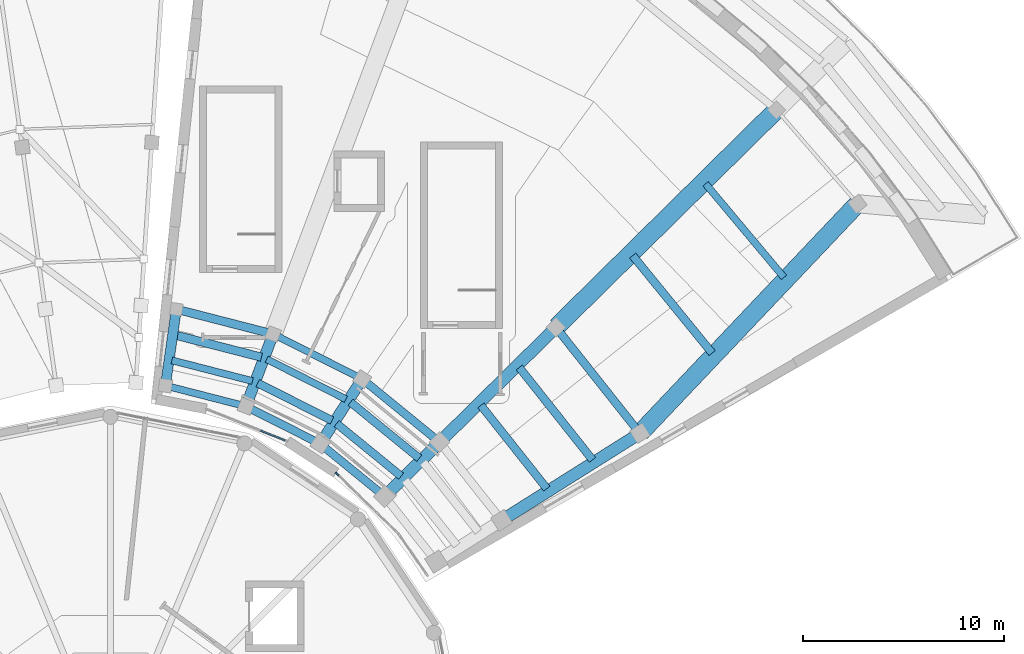
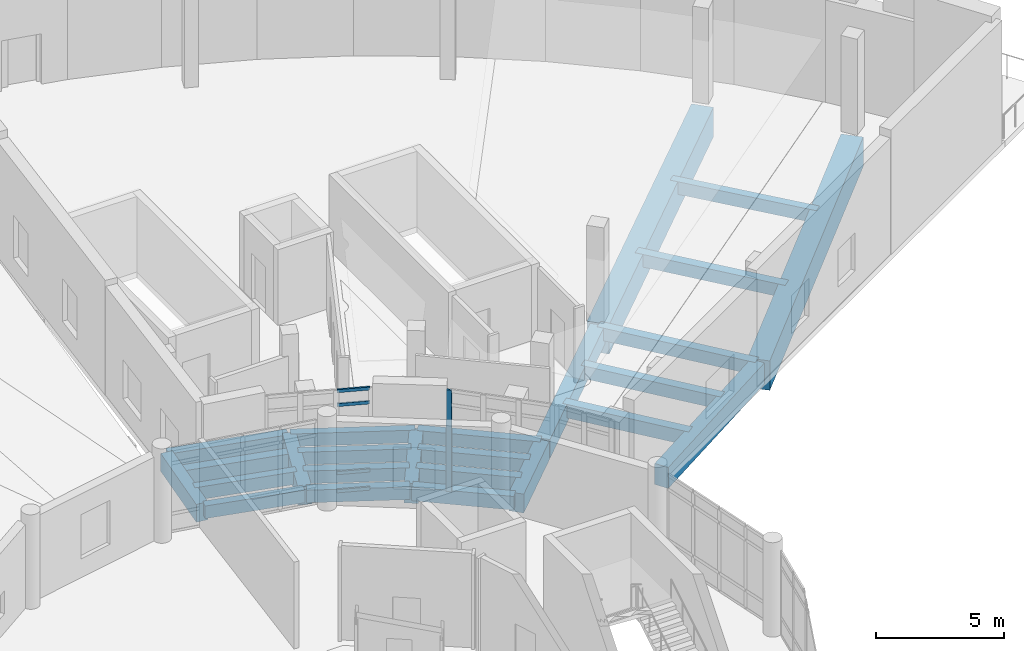
# One storey, part 14 of 27: 25 beams, 5 members, 2 elements without a shape of their own.
"""IFC4 building model written with IfcOpenShell, lengths in metres."""

from ifc_helpers import new_model, si_unit, direction, frame, origin, origin_2d, place, context, subcontext, project, spatial, rectangle, extrude, material, material_profile, profile_set, type_object, element, aggregate, save


model = new_model("IFC4")

# Units and contexts
model_context = context("Model", 3, precision=1e-05, world=origin(), true_north=direction((0.0, 1.0)))
body_context = subcontext(model_context, "Body", "Model", "MODEL_VIEW")
ifc_project = project(units=[si_unit("LENGTHUNIT", "METRE"), si_unit("AREAUNIT", "SQUARE_METRE"), si_unit("VOLUMEUNIT", "CUBIC_METRE"), si_unit("PLANEANGLEUNIT", "RADIAN"), si_unit("MASSUNIT", "GRAM", prefix="KILO")], contexts=[model_context])

# Site, building, storey
site_placement = place(None, origin())
site = spatial("IfcSite", under=ifc_project, at=site_placement, CompositionType="ELEMENT")
building_placement = place(site_placement, origin())
building = spatial("IfcBuilding", under=site, at=building_placement, Name="Soyqirgoq Riverine Aquarium", CompositionType="ELEMENT")
storey_placement = place(building_placement, frame((0.0, 0.0, 19.800048828125)))
storey = spatial("IfcBuildingStorey", under=building, at=storey_placement, Name="L05", CompositionType="ELEMENT", Elevation=19.800048828125)

# Beams
ifc_material_1 = material(Name="Concrete C40/50", Category="concrete")
ifc_material_profile_1 = material_profile(ifc_material_1, rectangle(XDim=0.35009765625, YDim=0.60009765625, at=origin_2d()), Name="RC 350x600")
ifc_profile_set_1 = profile_set([ifc_material_profile_1], Name="Concrete C40/50")
beam_type_1 = type_object("IfcBeamType", Name="Beam_RC_350x600", PredefinedType="JOIST", material=ifc_profile_set_1)
beam_1_placement = place(storey_placement, frame((62.70703125, 74.984619140625, -0.580078125), z_axis=(-0.968579337856, 0.248704777354, 0.0), x_axis=(-0.248704777354, -0.968579337856, 0.0)))
element("IfcBeam", 1, at=beam_1_placement, inside=storey, type_object=beam_type_1, Name="V5 L05 Wedge Chord Beam 0972", PredefinedType="JOIST", context=body_context, shape_type="SweptSolid", body=[
    extrude(rectangle(XDim=0.35009765625, YDim=0.60009765625, at=origin_2d()), origin(), (0.0, 0.0, 1.0), 4.04736328125),
])
beam_2_placement = place(storey_placement, frame((67.737060546875, 75.3291015625, -0.580078125), z_axis=(-0.89260992487, 0.450829814923, 0.0), x_axis=(-0.450829814923, -0.89260992487, 0.0)))
element("IfcBeam", 2, at=beam_2_placement, inside=storey, type_object=beam_type_1, Name="V5 L05 Secondary Floor Joist 0978", PredefinedType="JOIST", context=body_context, shape_type="SweptSolid", body=[
    extrude(rectangle(XDim=0.35009765625, YDim=0.60009765625, at=origin_2d()), origin(), (0.0, 0.0, 1.0), 4.42431640625),
])
beam_3_placement = place(storey_placement, frame((63.080322265625, 76.232421875, -0.580078125), z_axis=(-0.96858651554, 0.24867682223, 0.0), x_axis=(-0.24867682223, -0.96858651554, 0.0)))
element("IfcBeam", 3, at=beam_3_placement, inside=storey, type_object=beam_type_1, Name="V5 L05 Secondary Floor Joist 0979", PredefinedType="JOIST", context=body_context, shape_type="SweptSolid", body=[
    extrude(rectangle(XDim=0.35009765625, YDim=0.60009765625, at=origin_2d()), origin(), (0.0, 0.0, 1.0), 4.14990234375),
])
beam_4_placement = place(storey_placement, frame((68.50927734375, 76.35400390625, -0.580078125), z_axis=(-0.892588175526, 0.450872874446, 0.0), x_axis=(-0.450872874446, -0.892588175526, 0.0)))
element("IfcBeam", 4, at=beam_4_placement, inside=storey, type_object=beam_type_1, Name="V5 L05 Wedge Chord Beam 0983", PredefinedType="JOIST", context=body_context, shape_type="SweptSolid", body=[
    extrude(rectangle(XDim=0.35009765625, YDim=0.60009765625, at=origin_2d()), origin(), (0.0, 0.0, 1.0), 4.878662109375),
])
beam_5_placement = place(storey_placement, frame((89.584228515625, 81.40380859375, -0.580078125), z_axis=(-0.642269554069, 0.766478845055, 0.0), x_axis=(-0.766478845055, -0.642269554069, 0.0)))
element("IfcBeam", 5, at=beam_5_placement, inside=storey, type_object=beam_type_1, Name="V5 L05 Secondary Floor Joist 0989", PredefinedType="JOIST", context=body_context, shape_type="SweptSolid", body=[
    extrude(rectangle(XDim=0.35009765625, YDim=0.60009765625, at=origin_2d()), origin(), (0.0, 0.0, 1.0), 6.08544921875),
])
ifc_material_2 = material(Name="Concrete C40/50", Category="concrete")
ifc_material_profile_2 = material_profile(ifc_material_2, rectangle(XDim=0.39990234375, YDim=0.60009765625, at=origin_2d()), Name="RC 400x600")
ifc_profile_set_2 = profile_set([ifc_material_profile_2], Name="Concrete C40/50")
beam_type_2 = type_object("IfcBeamType", Name="Beam_RC_400x600", PredefinedType="JOIST", material=ifc_profile_set_2)
beam_6_placement = place(storey_placement, frame((66.41259765625, 73.125, -0.580078125), z_axis=(-0.892598018236, 0.45085338841, 0.0), x_axis=(-0.45085338841, -0.892598018236, 0.0)))
element("IfcBeam", 6, at=beam_6_placement, inside=storey, type_object=beam_type_2, Name="V5 L05 Wedge Chord Beam 0971", PredefinedType="JOIST", context=body_context, shape_type="SweptSolid", body=[
    extrude(rectangle(XDim=0.39990234375, YDim=0.60009765625, at=origin_2d()), origin(), (0.0, 0.0, 1.0), 4.047119140625),
])
beam_7_placement = place(storey_placement, frame((71.399169921875, 72.381103515625, -0.580078125), z_axis=(-0.774944675392, 0.632029073763, 0.0), x_axis=(-0.632029073763, -0.774944675392, 0.0)))
element("IfcBeam", 7, at=beam_7_placement, inside=storey, type_object=beam_type_2, Name="V5 L05 Secondary Floor Joist 0976", PredefinedType="JOIST", context=body_context, shape_type="SweptSolid", body=[
    extrude(rectangle(XDim=0.39990234375, YDim=0.60009765625, at=origin_2d()), origin(), (0.0, 0.0, 1.0), 4.424560546875),
])
beam_8_placement = place(storey_placement, frame((67.044921875, 74.263427734375, -0.580078125), z_axis=(-0.892584129687, 0.45088088386, 0.0), x_axis=(-0.45088088386, -0.892584129687, 0.0)))
element("IfcBeam", 8, at=beam_8_placement, inside=storey, type_object=beam_type_2, Name="V5 L05 Secondary Floor Joist 0977", PredefinedType="JOIST", context=body_context, shape_type="SweptSolid", body=[
    extrude(rectangle(XDim=0.39990234375, YDim=0.60009765625, at=origin_2d()), origin(), (0.0, 0.0, 1.0), 4.14990234375),
])
beam_9_placement = place(storey_placement, frame((72.37353515625, 73.21630859375, -0.580078125), z_axis=(-0.77496627639, 0.632002587383, 0.0), x_axis=(-0.632002587383, -0.77496627639, 0.0)))
element("IfcBeam", 9, at=beam_9_placement, inside=storey, type_object=beam_type_2, Name="V5 L05 Wedge Chord Beam 0982", PredefinedType="JOIST", context=body_context, shape_type="SweptSolid", body=[
    extrude(rectangle(XDim=0.39990234375, YDim=0.60009765625, at=origin_2d()), origin(), (0.0, 0.0, 1.0), 4.87890625),
])
beam_10_placement = place(storey_placement, frame((80.038330078125, 72.30224609375, -0.580078125), z_axis=(-0.621137956327, 0.783701243593, 0.0), x_axis=(-0.783701243593, -0.621137956327, 0.0)))
element("IfcBeam", 10, at=beam_10_placement, inside=storey, type_object=beam_type_2, Name="V5 L05 Secondary Floor Joist 0986", PredefinedType="JOIST", context=body_context, shape_type="SweptSolid", body=[
    extrude(rectangle(XDim=0.39990234375, YDim=0.60009765625, at=origin_2d()), origin(), (0.0, 0.0, 1.0), 5.878173828125),
])
beam_11_placement = place(storey_placement, frame((82.3701171875, 73.664794921875, -0.580078125), z_axis=(-0.621132353324, 0.783705684332, 0.0), x_axis=(-0.783705684332, -0.621132353324, 0.0)))
element("IfcBeam", 11, at=beam_11_placement, inside=storey, type_object=beam_type_2, Name="V5 L05 Wedge Chord Beam 0987", PredefinedType="JOIST", context=body_context, shape_type="SweptSolid", body=[
    extrude(rectangle(XDim=0.39990234375, YDim=0.60009765625, at=origin_2d()), origin(), (0.0, 0.0, 1.0), 6.63916015625),
])
beam_12_placement = place(storey_placement, frame((86.00341796875, 77.626953125, -0.580078125), z_axis=(-0.631614001709, 0.775283014676, 0.0), x_axis=(-0.775283014676, -0.631614001709, 0.0)))
element("IfcBeam", 12, at=beam_12_placement, inside=storey, type_object=beam_type_2, Name="V5 L05 Secondary Floor Joist 0988", PredefinedType="JOIST", context=body_context, shape_type="SweptSolid", body=[
    extrude(rectangle(XDim=0.39990234375, YDim=0.60009765625, at=origin_2d()), origin(), (0.0, 0.0, 1.0), 6.268798828125),
])
ifc_material_3 = material(Name="Concrete C40/50", Category="concrete")
ifc_material_profile_3 = material_profile(ifc_material_3, rectangle(XDim=0.39990234375, YDim=0.64990234375, at=origin_2d()), Name="RC 400x650")
ifc_profile_set_3 = profile_set([ifc_material_profile_3], Name="Concrete C40/50")
beam_type_3 = type_object("IfcBeamType", Name="Beam_RC_400x650", PredefinedType="BEAM", material=ifc_profile_set_3)
beam_13_placement = place(storey_placement, frame((69.632080078125, 70.512939453125, -0.60498046875), z_axis=(-0.774942773491, 0.632031405719, 0.0), x_axis=(-0.632031405719, -0.774942773491, 0.0)))
element("IfcBeam", 13, at=beam_13_placement, inside=storey, type_object=beam_type_3, Name="V5 L05 Wedge Chord Beam 0970", PredefinedType="BEAM", context=body_context, shape_type="SweptSolid", body=[
    extrude(rectangle(XDim=0.39990234375, YDim=0.64990234375, at=origin_2d()), origin(), (0.0, 0.0, 1.0), 4.047119140625),
])
beam_14_placement = place(storey_placement, frame((70.494384765625, 71.489013671875, -0.60498046875), z_axis=(-0.774939332503, 0.63203562474, 0.0), x_axis=(-0.63203562474, -0.774939332503, 0.0)))
element("IfcBeam", 14, at=beam_14_placement, inside=storey, type_object=beam_type_3, Name="V5 L05 Secondary Floor Joist 0975", PredefinedType="BEAM", context=body_context, shape_type="SweptSolid", body=[
    extrude(rectangle(XDim=0.39990234375, YDim=0.64990234375, at=origin_2d()), origin(), (0.0, 0.0, 1.0), 4.149658203125),
])
beam_15_placement = place(storey_placement, frame((77.7626953125, 70.869140625, -0.60498046875), z_axis=(-0.621170302236, 0.783675606115, 0.0), x_axis=(-0.783675606115, -0.621170302236, 0.0)))
element("IfcBeam", 15, at=beam_15_placement, inside=storey, type_object=beam_type_3, Name="V5 L05 Secondary Floor Joist 0985", PredefinedType="BEAM", context=body_context, shape_type="SweptSolid", body=[
    extrude(rectangle(XDim=0.39990234375, YDim=0.64990234375, at=origin_2d()), origin(), (0.0, 0.0, 1.0), 5.29736328125),
])
ifc_material_4 = material(Name="Concrete C40/50", Category="concrete")
ifc_material_profile_4 = material_profile(ifc_material_4, rectangle(XDim=0.419921875, YDim=0.679931640625, at=origin_2d()), Name="RC 420x680")
ifc_profile_set_4 = profile_set([ifc_material_profile_4], Name="Concrete C40/50")
beam_type_4 = type_object("IfcBeamType", Name="Beam_RC_420x680", PredefinedType="BEAM", material=ifc_profile_set_4)
beam_16_placement = place(storey_placement, frame((63.52734375, 77.421630859375, -0.6201171875), z_axis=(-0.968581092825, 0.248697942538, 0.0), x_axis=(-0.248697942538, -0.968581092825, 0.0)))
element("IfcBeam", 16, at=beam_16_placement, inside=storey, type_object=beam_type_4, Name="V5 L05 Secondary Floor Joist 0980", PredefinedType="BEAM", context=body_context, shape_type="SweptSolid", body=[
    extrude(rectangle(XDim=0.419921875, YDim=0.679931640625, at=origin_2d()), origin(), (0.0, 0.0, 1.0), 4.42431640625),
])
beam_17_placement = place(storey_placement, frame((64.0615234375, 78.588623046875, -0.6201171875), z_axis=(-0.968580462417, 0.248700397717, 0.0), x_axis=(-0.248700397717, -0.968580462417, 0.0)))
element("IfcBeam", 17, at=beam_17_placement, inside=storey, type_object=beam_type_4, Name="V5 L05 Wedge Chord Beam 0984", PredefinedType="BEAM", context=body_context, shape_type="SweptSolid", body=[
    extrude(rectangle(XDim=0.419921875, YDim=0.679931640625, at=origin_2d()), origin(), (0.0, 0.0, 1.0), 4.87890625),
])

# Curtain wall, member
ifc_material_5 = material(Name="Anodised aluminium thermally broken double low-E glazing", Category="aluminium")
curtain_wall_type = type_object("IfcCurtainWallType", Name="CW_Wedge_NorthBay", PredefinedType="NOTDEFINED", material=ifc_material_5)
curtain_wall_1_placement = place(storey_placement, origin())
curtain_wall_1 = element("IfcCurtainWall", 18, at=curtain_wall_1_placement, inside=storey, type_object=curtain_wall_type, Name="V5 L05 Curtain Wall 101", PredefinedType="NOTDEFINED")
ifc_material_6 = material(Name="Anodised aluminium 6063-T6", Category="aluminium")
ifc_material_profile_5 = material_profile(ifc_material_6, rectangle(XDim=0.080078125, YDim=0.219970703125, at=origin_2d()), Name="ALU-M 80x220")
ifc_profile_set_5 = profile_set([ifc_material_profile_5], Name="Anodised aluminium 6063-T6")
member_type_1 = type_object("IfcMemberType", Name="CWMullion_80x220", PredefinedType="MULLION", material=ifc_profile_set_5)
member_1_placement = place(storey_placement, frame((67.30126953125, 71.59765625, 0.0), z_axis=(0.0, 0.0, 1.0), x_axis=(-0.697789725997, -0.716302658304, 0.0)))
member_1 = element("IfcMember", 19, at=member_1_placement, type_object=member_type_1, Name="CW-03 mullion 4", PredefinedType="MULLION", context=body_context, shape_type="SweptSolid", body=[
    extrude(rectangle(XDim=0.080078125, YDim=0.219970703125, at=origin_2d()), origin(), (0.0, 0.0, 1.0), 4.83984375),
])
aggregate(curtain_wall_1, [member_1])

# Curtain wall, members
curtain_wall_2_placement = place(storey_placement, origin())
curtain_wall_2 = element("IfcCurtainWall", 20, at=curtain_wall_2_placement, inside=storey, type_object=curtain_wall_type, Name="V5 L05 Curtain Wall 102", PredefinedType="NOTDEFINED")
ifc_material_7 = material(Name="Anodised aluminium 6063-T6", Category="aluminium")
ifc_material_profile_6 = material_profile(ifc_material_7, rectangle(XDim=0.074951171875, YDim=0.14990234375, at=origin_2d()), Name="ALU-T 75x150")
ifc_profile_set_6 = profile_set([ifc_material_profile_6], Name="Anodised aluminium 6063-T6")
member_type_2 = type_object("IfcMemberType", Name="CWTransom_75x150", PredefinedType="USERDEFINED", material=ifc_profile_set_6)
member_2_placement = place(storey_placement, frame((64.70166015625, 73.2763671875, 0.037353515625), z_axis=(-0.928812901649, 0.370549043625, 0.0), x_axis=(-0.370549043625, -0.928812901649, 0.0)))
member_2 = element("IfcMember", 21, at=member_2_placement, type_object=member_type_2, Name="CW-03 transom 1.1", ObjectType="TRANSOM", PredefinedType="USERDEFINED", context=body_context, shape_type="SweptSolid", body=[
    extrude(rectangle(XDim=0.074951171875, YDim=0.14990234375, at=origin_2d()), origin(), (0.0, 0.0, 1.0), 1.300537109375),
])
member_3_placement = place(storey_placement, frame((64.70166015625, 73.2763671875, 0.89990234375), z_axis=(-0.928812901649, 0.370549043625, 0.0), x_axis=(-0.370549043625, -0.928812901649, 0.0)))
member_3 = element("IfcMember", 22, at=member_3_placement, type_object=member_type_2, Name="CW-03 transom 1.2", ObjectType="TRANSOM", PredefinedType="USERDEFINED", context=body_context, shape_type="SweptSolid", body=[
    extrude(rectangle(XDim=0.074951171875, YDim=0.14990234375, at=origin_2d()), origin(), (0.0, 0.0, 1.0), 1.300537109375),
])
member_4_placement = place(storey_placement, frame((64.70166015625, 73.2763671875, 4.139892578125), z_axis=(-0.928812901649, 0.370549043625, 0.0), x_axis=(-0.370549043625, -0.928812901649, 0.0)))
member_4 = element("IfcMember", 23, at=member_4_placement, type_object=member_type_2, Name="CW-03 transom 1.3", ObjectType="TRANSOM", PredefinedType="USERDEFINED", context=body_context, shape_type="SweptSolid", body=[
    extrude(rectangle(XDim=0.074951171875, YDim=0.14990234375, at=origin_2d()), origin(), (0.0, 0.0, 1.0), 1.300537109375),
])
member_5_placement = place(storey_placement, frame((64.70166015625, 73.2763671875, 4.802490234375), z_axis=(-0.928812901649, 0.370549043625, 0.0), x_axis=(-0.370549043625, -0.928812901649, 0.0)))
member_5 = element("IfcMember", 24, at=member_5_placement, type_object=member_type_2, Name="CW-03 transom 1.4", ObjectType="TRANSOM", PredefinedType="USERDEFINED", context=body_context, shape_type="SweptSolid", body=[
    extrude(rectangle(XDim=0.074951171875, YDim=0.14990234375, at=origin_2d()), origin(), (0.0, 0.0, 1.0), 1.300537109375),
])
aggregate(curtain_wall_2, [member_2, member_3, member_4, member_5])

# Beams
ifc_material_8 = material(Name="Concrete C40/50", Category="concrete")
ifc_material_profile_7 = material_profile(ifc_material_8, rectangle(XDim=0.5, YDim=0.85009765625, at=origin_2d()), Name="RC 500x850")
ifc_profile_set_7 = profile_set([ifc_material_profile_7], Name="Concrete C40/50")
beam_type_5 = type_object("IfcBeamType", Name="Girder_RC_500x850", PredefinedType="BEAM", material=ifc_profile_set_7)
beam_18_placement = place(storey_placement, frame((58.74560546875, 76.05322265625, -0.705078125), z_axis=(0.142642597363, 0.989774261848, 0.0), x_axis=(-0.989774261848, 0.142642597363, 0.0)))
element("IfcBeam", 25, at=beam_18_placement, inside=storey, type_object=beam_type_5, Name="V5 L05 Wedge Radial Girder 0967", PredefinedType="BEAM", context=body_context, shape_type="SweptSolid", body=[
    extrude(rectangle(XDim=0.5, YDim=0.85009765625, at=origin_2d()), origin(), (0.0, 0.0, 1.0), 3.75),
])
ifc_material_9 = material(Name="Concrete C40/50", Category="concrete")
ifc_material_profile_8 = material_profile(ifc_material_9, rectangle(XDim=0.550048828125, YDim=0.85009765625, at=origin_2d()), Name="RC 550x850")
ifc_profile_set_8 = profile_set([ifc_material_profile_8], Name="Concrete C40/50")
beam_type_6 = type_object("IfcBeamType", Name="Girder_RC_550x850", PredefinedType="BEAM", material=ifc_profile_set_8)
beam_19_placement = place(storey_placement, frame((62.77294921875, 75.01904296875, -0.705078125), z_axis=(0.351822543862, 0.936066716442, 0.0), x_axis=(-0.936066716442, 0.351822543862, 0.0)))
element("IfcBeam", 26, at=beam_19_placement, inside=storey, type_object=beam_type_6, Name="V5 L05 Wedge Radial Girder 0964", PredefinedType="BEAM", context=body_context, shape_type="SweptSolid", body=[
    extrude(rectangle(XDim=0.550048828125, YDim=0.85009765625, at=origin_2d()), origin(), (0.0, 0.0, 1.0), 3.75),
])
ifc_material_10 = material(Name="Concrete C40/50", Category="concrete")
ifc_material_profile_9 = material_profile(ifc_material_10, rectangle(XDim=0.550048828125, YDim=0.949951171875, at=origin_2d()), Name="RC 550x950")
ifc_profile_set_9 = profile_set([ifc_material_profile_9], Name="Concrete C40/50")
beam_type_7 = type_object("IfcBeamType", Name="Girder_RC_550x950", PredefinedType="BEAM", material=ifc_profile_set_9)
beam_20_placement = place(storey_placement, frame((66.484375, 73.144287109375, -0.755126953125), z_axis=(0.544578680372, 0.838709759621, 0.0), x_axis=(-0.838709759621, 0.544578680372, 0.0)))
element("IfcBeam", 27, at=beam_20_placement, inside=storey, type_object=beam_type_7, Name="V5 L05 Wedge Radial Girder 0962", PredefinedType="BEAM", context=body_context, shape_type="SweptSolid", body=[
    extrude(rectangle(XDim=0.550048828125, YDim=0.949951171875, at=origin_2d()), origin(), (0.0, 0.0, 1.0), 3.75),
])
ifc_material_11 = material(Name="Concrete C40/50", Category="concrete")
ifc_material_profile_10 = material_profile(ifc_material_11, rectangle(XDim=0.60009765625, YDim=1.0, at=origin_2d()), Name="RC 600x1000")
ifc_profile_set_10 = profile_set([ifc_material_profile_10], Name="Concrete C40/50")
beam_type_8 = type_object("IfcBeamType", Name="Girder_RC_600x1000", PredefinedType="BEAM", material=ifc_profile_set_10)
beam_21_placement = place(storey_placement, frame((75.547119140625, 69.309326171875, -0.780029296875), z_axis=(0.846182190255, 0.532893705063, 0.0), x_axis=(-0.532893705063, 0.846182190255, 0.0)))
element("IfcBeam", 28, at=beam_21_placement, inside=storey, type_object=beam_type_8, Name="V5 L05 Wedge Radial Girder 0955", PredefinedType="BEAM", context=body_context, shape_type="SweptSolid", body=[
    extrude(rectangle(XDim=0.60009765625, YDim=1.0, at=origin_2d()), origin(), (0.0, 0.0, 1.0), 8.050048828125),
])
ifc_material_12 = material(Name="Concrete C40/50", Category="concrete")
ifc_material_profile_11 = material_profile(ifc_material_12, rectangle(XDim=0.60009765625, YDim=0.89990234375, at=origin_2d()), Name="RC 600x900")
ifc_profile_set_11 = profile_set([ifc_material_profile_11], Name="Concrete C40/50")
beam_type_9 = type_object("IfcBeamType", Name="Girder_RC_600x900", PredefinedType="BEAM", material=ifc_profile_set_11)
beam_22_placement = place(storey_placement, frame((69.70654296875, 70.516357421875, -0.72998046875), z_axis=(0.712037338503, 0.702141601514, 0.0), x_axis=(-0.702141601514, 0.712037338503, 0.0)))
element("IfcBeam", 29, at=beam_22_placement, inside=storey, type_object=beam_type_9, Name="V5 L05 Wedge Radial Girder 0958", PredefinedType="BEAM", context=body_context, shape_type="SweptSolid", body=[
    extrude(rectangle(XDim=0.60009765625, YDim=0.89990234375, at=origin_2d()), origin(), (0.0, 0.0, 1.0), 3.75),
])
beam_23_placement = place(storey_placement, frame((72.44775390625, 73.2197265625, -0.72998046875), z_axis=(0.712032910535, 0.702146091861, 0.0), x_axis=(-0.702146091861, 0.712032910535, 0.0)))
element("IfcBeam", 30, at=beam_23_placement, inside=storey, type_object=beam_type_9, Name="V5 L05 Wedge Radial Girder 0959", PredefinedType="BEAM", context=body_context, shape_type="SweptSolid", body=[
    extrude(rectangle(XDim=0.60009765625, YDim=0.89990234375, at=origin_2d()), origin(), (0.0, 0.0, 1.0), 8.050048828125),
])
ifc_material_13 = material(Name="Waterproof concrete C45/55", Category="concrete")
ifc_material_profile_12 = material_profile(ifc_material_13, rectangle(XDim=0.89990234375, YDim=1.39990234375, at=origin_2d()), Name="RC 900x1400")
ifc_profile_set_12 = profile_set([ifc_material_profile_12], Name="Waterproof concrete C45/55")
beam_type_10 = type_object("IfcBeamType", Name="TransferGirder_900x1400", PredefinedType="BEAM", material=ifc_profile_set_12)
beam_24_placement = place(storey_placement, frame((82.435546875, 73.662109375, -0.97998046875), z_axis=(0.688043937809, 0.725669028996, 0.0), x_axis=(-0.725669028996, 0.688043937809, 0.0)))
element("IfcBeam", 31, at=beam_24_placement, inside=storey, type_object=beam_type_10, Name="V5 L05 Wedge Radial Girder 0956", PredefinedType="BEAM", context=body_context, shape_type="SweptSolid", body=[
    extrude(rectangle(XDim=0.89990234375, YDim=1.39990234375, at=origin_2d()), origin(), (0.0, 0.0, 1.0), 15.6767578125),
])
beam_25_placement = place(storey_placement, frame((78.250732421875, 78.9423828125, -0.97998046875), z_axis=(0.712035941115, 0.702143018595, 0.0), x_axis=(-0.702143018595, 0.712035941115, 0.0)))
element("IfcBeam", 32, at=beam_25_placement, inside=storey, type_object=beam_type_10, Name="V5 L05 Wedge Radial Girder 0960", PredefinedType="BEAM", context=body_context, shape_type="SweptSolid", body=[
    extrude(rectangle(XDim=0.89990234375, YDim=1.39990234375, at=origin_2d()), origin(), (0.0, 0.0, 1.0), 15.349853515625),
])

save(model, "model.ifc")
